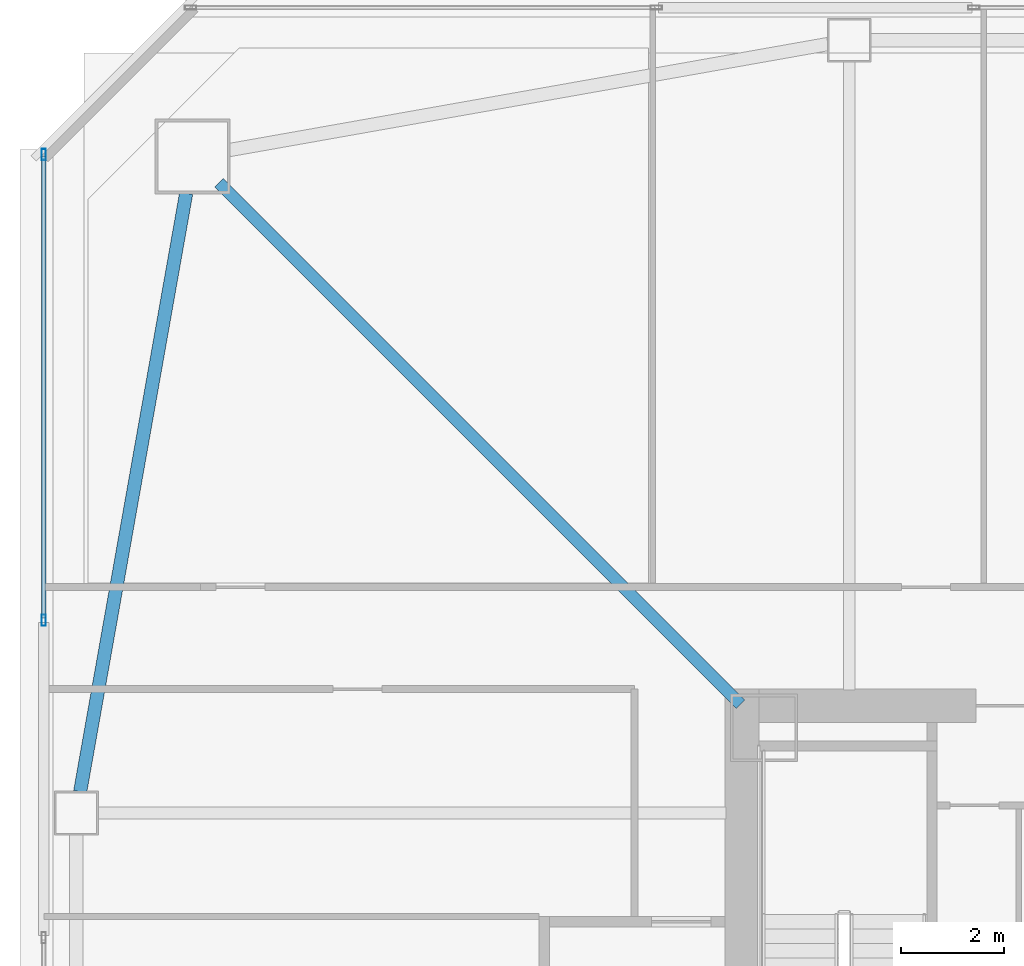
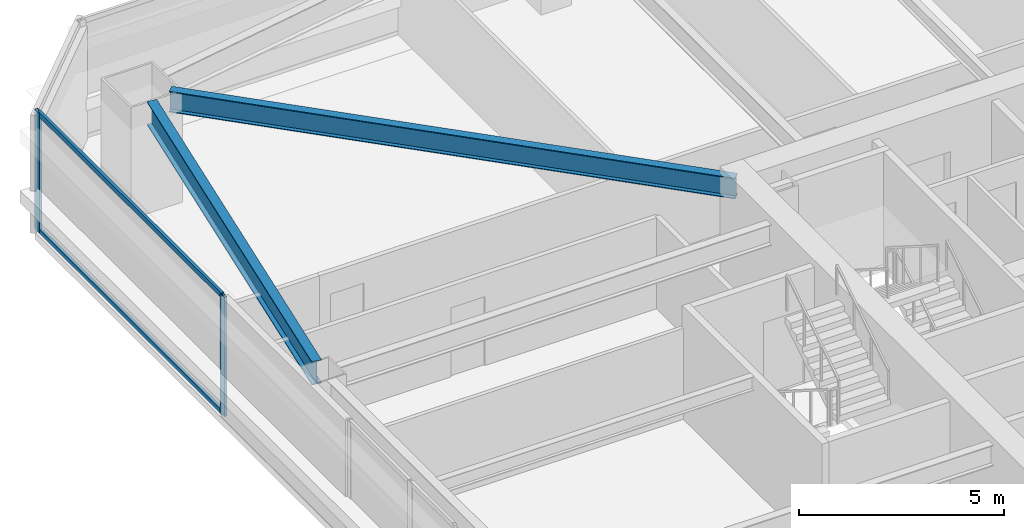
# One storey, part 11 of 44: 4 members, 2 beams, 1 element without a shape of its own.
"""IFC4 building model written with IfcOpenShell, lengths in metres."""

import ifcopenshell
import ifcopenshell.guid

model = None  # the IFC model being written
_history = None  # IfcOwnerHistory: only IFC2X3 demands one
_inside = {}  # id of a spatial element -> (the spatial element, [elements in it])
_under = {}  # id of a project, library or spatial element -> (it, [spatial elements below it])
_declared = {}  # id of a project -> (the project, [libraries it declares])
_typed = {}  # id of a type object -> (the type object, [elements of that type])
_made_of = {}  # id of a material, layer set ... -> (it, [elements and type objects made of it])


def new_model(schema):
    """Start an empty IFC model of exactly this schema.

    Asked for "IFC4X3", IfcOpenShell would pick the latest addendum, in which some entities
    have other attributes; the version numbers below select the first issue.
    IFC2X3 requires an IfcOwnerHistory on every rooted entity: one is made here for all.
    """
    global model, _history
    if schema == "IFC4X3":
        model = ifcopenshell.file(schema_version=(4, 3, 0, 0))
    else:
        model = ifcopenshell.file(schema=schema)
    _inside.clear()
    _under.clear()
    _declared.clear()
    _typed.clear()
    _made_of.clear()
    _history = None
    if model.schema == "IFC2X3":
        org = make("IfcOrganization", Name="unknown")
        user = make(
            "IfcPersonAndOrganization",
            ThePerson=make("IfcPerson", FamilyName="unknown"),
            TheOrganization=org,
        )
        app = make(
            "IfcApplication",
            ApplicationDeveloper=org,
            Version="unknown",
            ApplicationFullName="unknown",
            ApplicationIdentifier="unknown",
        )
        _history = make(
            "IfcOwnerHistory",
            OwningUser=user,
            OwningApplication=app,
            ChangeAction="ADDED",
            CreationDate=0,
        )
    return model


def make(cls, **values):
    """One entity of the class cls with the attributes given. An attribute that is None is left unset."""
    return model.create_entity(
        cls, **{name: value for name, value in values.items() if value is not None}
    )


def rooted(cls, **values):
    """An entity with a GlobalId (a new one), such as an element, a storey or a relation."""
    return make(cls, GlobalId=ifcopenshell.guid.new(), OwnerHistory=_history, **values)


def si_unit(unit_type, name, prefix=None):
    """IfcSIUnit, for example si_unit("LENGTHUNIT", "METRE", prefix="MILLI")."""
    return make("IfcSIUnit", UnitType=unit_type, Prefix=prefix, Name=name)


def assignment(units):
    """IfcUnitAssignment: the units of a project."""
    return None if units is None else make("IfcUnitAssignment", Units=units)


def point(xyz):
    """IfcCartesianPoint."""
    return None if xyz is None else make("IfcCartesianPoint", Coordinates=xyz)


def direction(xyz):
    """IfcDirection."""
    return None if xyz is None else make("IfcDirection", DirectionRatios=xyz)


def frame(location, z_axis=None, x_axis=None):
    """IfcAxis2Placement3D, a coordinate frame: its origin and axes. An axis left out is left unset."""
    return make(
        "IfcAxis2Placement3D",
        Location=point(location),
        Axis=direction(z_axis),
        RefDirection=direction(x_axis),
    )


def frame_2d(location, x_axis=None):
    """IfcAxis2Placement2D, a coordinate frame in the plane: its origin and x axis."""
    return make(
        "IfcAxis2Placement2D", Location=point(location), RefDirection=direction(x_axis)
    )


def origin():
    """The frame at (0, 0, 0) with its axes left unset."""
    return frame((0.0, 0.0, 0.0))


def origin_2d():
    """The frame at (0, 0) in the plane with its x axis left unset."""
    return frame_2d((0.0, 0.0))


def place(relative_to, where):
    """IfcLocalPlacement: puts the frame where relative to a parent placement (None: the world)."""
    return make(
        "IfcLocalPlacement", PlacementRelTo=relative_to, RelativePlacement=where
    )


def context(
    kind, dimensions, precision=None, world=None, true_north=None, identifier=None
):
    """IfcGeometricRepresentationContext, for example the 3D "Model" context."""
    return make(
        "IfcGeometricRepresentationContext",
        ContextIdentifier=identifier,
        ContextType=kind,
        CoordinateSpaceDimension=dimensions,
        Precision=precision,
        WorldCoordinateSystem=world,
        TrueNorth=true_north,
    )


def subcontext(parent, identifier, kind, view, scale=None):
    """IfcGeometricRepresentationSubContext, for example "Body" below "Model"."""
    return make(
        "IfcGeometricRepresentationSubContext",
        ContextIdentifier=identifier,
        ContextType=kind,
        ParentContext=parent,
        TargetScale=scale,
        TargetView=view,
    )


def project(units=None, contexts=None):
    """IfcProject with its units and contexts."""
    return rooted(
        "IfcProject",
        Name="project",
        RepresentationContexts=contexts,
        UnitsInContext=assignment(units),
    )


def spatial(cls, under=None, at=None, **own):
    """A site, building, storey or space (cls), placed at a placement, below another one or the project."""
    s = rooted(cls, ObjectPlacement=at, **own)
    if under is not None:
        _under.setdefault(under.id(), (under, []))[1].append(s)
    return s


def profile(cls, at=None, kind="AREA", **sizes):
    """A parametric profile (cls). Its sizes go by their IFC names, for example OverallWidth=200.0."""
    return make(cls, ProfileType=kind, Position=at, **sizes)


def hollow_rectangle(**sizes):
    """IfcRectangleHollowProfileDef."""
    return profile("IfcRectangleHollowProfileDef", **sizes)


def i_section(**sizes):
    """IfcIShapeProfileDef."""
    return profile("IfcIShapeProfileDef", **sizes)


def extrude(swept, where, along, depth):
    """IfcExtrudedAreaSolid: the profile swept, set in the frame where, extruded along a direction by depth."""
    return make(
        "IfcExtrudedAreaSolid",
        SweptArea=swept,
        Position=where,
        ExtrudedDirection=direction(along),
        Depth=depth,
    )


def shape(context_of_items, identifier, shape_type, items):
    """IfcShapeRepresentation: the items that make up one representation, for example the "Body"."""
    return make(
        "IfcShapeRepresentation",
        ContextOfItems=context_of_items,
        RepresentationIdentifier=identifier,
        RepresentationType=shape_type,
        Items=items,
    )


def material(Name=None, Category=None):
    """IfcMaterial."""
    return make("IfcMaterial", Name=Name, Category=Category)


def material_profile(
    of_material, cross_section, Name=None, Category=None, Priority=None
):
    """IfcMaterialProfile: a cross section and its material."""
    return make(
        "IfcMaterialProfile",
        Name=Name,
        Material=of_material,
        Profile=cross_section,
        Priority=Priority,
        Category=Category,
    )


def profile_set(profiles, Name=None, composite=None):
    """IfcMaterialProfileSet."""
    return make(
        "IfcMaterialProfileSet",
        Name=Name,
        MaterialProfiles=profiles,
        CompositeProfile=composite,
    )


def made_of(thing, what):
    """Note that an element or type object is made of a material, layer set ...; save() writes the relation."""
    if what is not None:
        _made_of.setdefault(what.id(), (what, []))[1].append(thing)
    return thing


def type_object(cls, material=None, **own):
    """A type object (cls), such as IfcWallType, which elements share."""
    return made_of(rooted(cls, **own), material)


def element(
    cls,
    number,
    at=None,
    inside=None,
    cuts=None,
    type_object=None,
    material=None,
    context=None,
    identifier="Body",
    shape_type=None,
    held_by="IfcProductDefinitionShape",
    body=None,
    shapes=None,
    **own,
):
    """One element of the class cls, such as IfcWall. Its Tag is "e" and its number.

    at: its placement. inside: the storey or other place that contains it. cuts: it is an
    opening in that element (IfcRelVoidsElement). A single representation is given by context,
    identifier, shape_type and body (its items); several are given by shapes. held_by: the class
    of the entity that holds the representations. save() writes the other relations.
    """
    e = rooted(cls, Tag="e%d" % number, ObjectPlacement=at, **own)
    if body is not None:
        shapes = [shape(context, identifier, shape_type, body)]
    if shapes is not None:
        e.Representation = make(held_by, Representations=shapes)
    if inside is not None:
        _inside.setdefault(inside.id(), (inside, []))[1].append(e)
    if cuts is not None:
        rooted(
            "IfcRelVoidsElement", RelatingBuildingElement=cuts, RelatedOpeningElement=e
        )
    if type_object is not None:
        _typed.setdefault(type_object.id(), (type_object, []))[1].append(e)
    return made_of(e, material)


def aggregate(whole, parts):
    """IfcRelAggregates: a whole, such as a stair, and the parts it consists of."""
    return rooted("IfcRelAggregates", RelatingObject=whole, RelatedObjects=parts)


def save(model, path):
    """Write the relations noted so far, then the file.

    IfcRelAggregates (storeys below a building ...), IfcRelContainedInSpatialStructure (elements
    in a storey), IfcRelDefinesByType, IfcRelAssociatesMaterial and IfcRelDeclares: one each for
    every whole, place, type object, material and project.
    """
    for whole, parts in _under.values():
        aggregate(whole, parts)
    for where, things in _inside.values():
        rooted(
            "IfcRelContainedInSpatialStructure",
            RelatedElements=things,
            RelatingStructure=where,
        )
    for kind, things in _typed.values():
        rooted("IfcRelDefinesByType", RelatedObjects=things, RelatingType=kind)
    for what, things in _made_of.values():
        rooted("IfcRelAssociatesMaterial", RelatedObjects=things, RelatingMaterial=what)
    for by, libraries in _declared.values():
        rooted("IfcRelDeclares", RelatingContext=by, RelatedDefinitions=libraries)
    model.write(path)


model = new_model("IFC4")

# Units and contexts
model_context = context("Model", 3, precision=1e-05, world=origin(), true_north=direction((0.0, 1.0)))
body_context = subcontext(model_context, "Body", "Model", "MODEL_VIEW")
ifc_project = project(units=[si_unit("LENGTHUNIT", "METRE"), si_unit("AREAUNIT", "SQUARE_METRE"), si_unit("VOLUMEUNIT", "CUBIC_METRE"), si_unit("PLANEANGLEUNIT", "RADIAN"), si_unit("MASSUNIT", "GRAM", prefix="KILO")], contexts=[model_context])

# Site, building, storey
site_placement = place(None, origin())
site = spatial("IfcSite", under=ifc_project, at=site_placement, CompositionType="ELEMENT")
building_placement = place(site_placement, origin())
building = spatial("IfcBuilding", under=site, at=building_placement, Name="Tashvorn Skyway Center", CompositionType="ELEMENT")
storey_placement = place(building_placement, frame((0.0, 0.0, 95.60009765625)))
storey = spatial("IfcBuildingStorey", under=building, at=storey_placement, Name="L25", CompositionType="ELEMENT", Elevation=95.60009765625)

# Beams
ifc_material_1 = material(Name="Steel ASTM A992 Grade 50", Category="steel")
ifc_material_profile_1 = material_profile(ifc_material_1, i_section(OverallWidth=0.22998046875, OverallDepth=0.616943359375, WebThickness=0.01318359375, FlangeThickness=0.022216796875, at=origin_2d()), Name="W24X94")
ifc_profile_set_1 = profile_set([ifc_material_profile_1], Name="Steel ASTM A992 Grade 50")
beam_type_1 = type_object("IfcBeamType", Name="BM-BEAM-W24X94", PredefinedType="BEAM", material=ifc_profile_set_1)
beam_1_placement = place(storey_placement, frame((24.4091796875, 49.5908203125, 3.04150390625), z_axis=(0.707106781187, -0.707106781187, 0.0), x_axis=(0.707106781187, 0.707106781187, 0.0)))
element("IfcBeam", 1, at=beam_1_placement, inside=storey, type_object=beam_type_1, Name="Tower 1 L25 Primary Floor Girder MC-NW", PredefinedType="BEAM", context=body_context, shape_type="SweptSolid", body=[
    extrude(i_section(OverallWidth=0.22998046875, OverallDepth=0.616943359375, WebThickness=0.01318359375, FlangeThickness=0.022216796875, at=origin_2d()), origin(), (0.0, 0.0, 1.0), 14.261962890625),
])
ifc_material_profile_2 = material_profile(ifc_material_1, i_section(OverallWidth=0.256103515625, OverallDepth=0.693115234375, WebThickness=0.014404296875, FlangeThickness=0.023681640625, at=origin_2d()), Name="W27X114")
ifc_profile_set_2 = profile_set([ifc_material_profile_2], Name="Steel ASTM A992 Grade 50")
beam_type_2 = type_object("IfcBeamType", Name="BM-SPANDREL-W27X114", PredefinedType="SPANDREL", material=ifc_profile_set_2)
beam_2_placement = place(storey_placement, frame((23.7744140625, 49.39111328125, 3.00341796875), z_axis=(-0.174437966698, -0.98466816531, 0.0), x_axis=(0.98466816531, -0.174437966698, 0.0)))
element("IfcBeam", 2, at=beam_2_placement, inside=storey, type_object=beam_type_2, Name="Tower 1 L25 Spandrel Beam 10", PredefinedType="SPANDREL", context=body_context, shape_type="SweptSolid", body=[
    extrude(i_section(OverallWidth=0.256103515625, OverallDepth=0.693115234375, WebThickness=0.014404296875, FlangeThickness=0.023681640625, at=origin_2d()), origin(), (0.0, 0.0, 1.0), 11.7578125),
])

# Curtain wall, members
ifc_material_2 = material(Name="Thermally broken bronze-anodized aluminium 6063-T6", Category="aluminium")
curtain_wall_type = type_object("IfcCurtainWallType", Name="CW-CW-Z2", PredefinedType="NOTDEFINED", material=ifc_material_2)
curtain_wall_placement = place(storey_placement, origin())
curtain_wall = element("IfcCurtainWall", 3, at=curtain_wall_placement, inside=storey, type_object=curtain_wall_type, Name="Tower 1 L25 West Unitised Curtain Wall Glazing Group 3", PredefinedType="NOTDEFINED")
ifc_material_profile_3 = material_profile(ifc_material_2, hollow_rectangle(XDim=0.080078125, YDim=0.219970703125, WallThickness=0.0048828125, at=origin_2d()), Name="ALU-MULL-80x220")
ifc_profile_set_3 = profile_set([ifc_material_profile_3], Name="Thermally broken bronze-anodized aluminium 6063-T6")
member_type_1 = type_object("IfcMemberType", Name="CWM-CW-Z2", PredefinedType="MULLION", material=ifc_profile_set_3)
member_1_placement = place(storey_placement, frame((21.02001953125, 41.1298828125, 0.0), z_axis=(0.0, 0.0, 1.0), x_axis=(-1.0, 0.0, 0.0)))
member_1 = element("IfcMember", 4, at=member_1_placement, type_object=member_type_1, Name="CW-Z2 mullion 1", PredefinedType="MULLION", context=body_context, shape_type="SweptSolid", body=[
    extrude(hollow_rectangle(XDim=0.080078125, YDim=0.219970703125, WallThickness=0.0048828125, at=origin_2d()), origin(), (0.0, 0.0, 1.0), 3.5498046875),
])
member_2_placement = place(storey_placement, frame((21.02001953125, 50.139892578125, 0.0), z_axis=(0.0, 0.0, 1.0), x_axis=(-1.0, 0.0, 0.0)))
member_2 = element("IfcMember", 5, at=member_2_placement, type_object=member_type_1, Name="CW-Z2 mullion 2", PredefinedType="MULLION", context=body_context, shape_type="SweptSolid", body=[
    extrude(hollow_rectangle(XDim=0.080078125, YDim=0.219970703125, WallThickness=0.0048828125, at=origin_2d()), origin(), (0.0, 0.0, 1.0), 3.5498046875),
])
ifc_material_profile_4 = material_profile(ifc_material_2, hollow_rectangle(XDim=0.080078125, YDim=0.14990234375, WallThickness=0.00439453125, at=origin_2d()), Name="ALU-TRAN-80x150")
ifc_profile_set_4 = profile_set([ifc_material_profile_4], Name="Thermally broken bronze-anodized aluminium 6063-T6")
member_type_2 = type_object("IfcMemberType", Name="CWT-CW-Z2", PredefinedType="USERDEFINED", material=ifc_profile_set_4)
member_3_placement = place(storey_placement, frame((21.02001953125, 41.169921875, 0.039794921875), z_axis=(0.0, 1.0, 0.0), x_axis=(-1.0, 0.0, 0.0)))
member_3 = element("IfcMember", 6, at=member_3_placement, type_object=member_type_2, Name="CW-Z2 transom 1.1", ObjectType="TRANSOM", PredefinedType="USERDEFINED", context=body_context, shape_type="SweptSolid", body=[
    extrude(hollow_rectangle(XDim=0.080078125, YDim=0.14990234375, WallThickness=0.00439453125, at=origin_2d()), origin(), (0.0, 0.0, 1.0), 8.93017578125),
])
member_4_placement = place(storey_placement, frame((21.02001953125, 41.169921875, 3.510009765625), z_axis=(0.0, 1.0, 0.0), x_axis=(-1.0, 0.0, 0.0)))
member_4 = element("IfcMember", 7, at=member_4_placement, type_object=member_type_2, Name="CW-Z2 transom 1.2", ObjectType="TRANSOM", PredefinedType="USERDEFINED", context=body_context, shape_type="SweptSolid", body=[
    extrude(hollow_rectangle(XDim=0.080078125, YDim=0.14990234375, WallThickness=0.00439453125, at=origin_2d()), origin(), (0.0, 0.0, 1.0), 8.93017578125),
])
aggregate(curtain_wall, [member_1, member_2, member_3, member_4])

save(model, "model.ifc")
